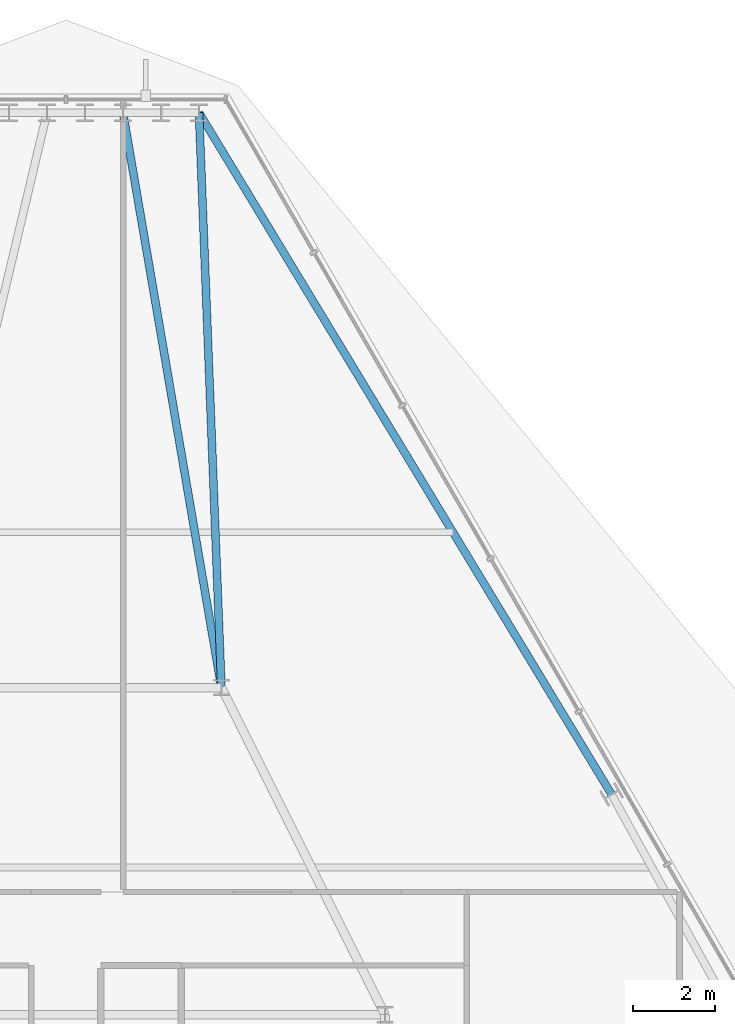
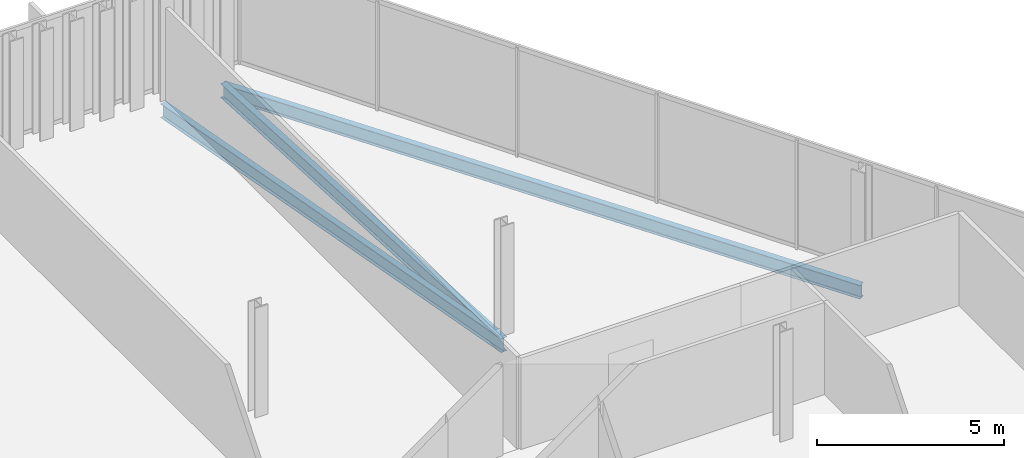
# One storey, part 26 of 37: 3 beams.
"""IFC4 building model written with IfcOpenShell, lengths in metres."""

from ifc_helpers import new_model, si_unit, direction, frame, origin, origin_2d, place, context, subcontext, project, spatial, i_section, extrude, material, material_profile, profile_set, type_object, element, save


model = new_model("IFC4")

# Units and contexts
model_context = context("Model", 3, precision=1e-05, world=origin(), true_north=direction((0.0, 1.0)))
body_context = subcontext(model_context, "Body", "Model", "MODEL_VIEW")
ifc_project = project(units=[si_unit("LENGTHUNIT", "METRE"), si_unit("AREAUNIT", "SQUARE_METRE"), si_unit("VOLUMEUNIT", "CUBIC_METRE"), si_unit("PLANEANGLEUNIT", "RADIAN"), si_unit("MASSUNIT", "GRAM", prefix="KILO")], contexts=[model_context])

# Site, building, storey
site_placement = place(None, origin())
site = spatial("IfcSite", under=ifc_project, at=site_placement, CompositionType="ELEMENT")
building_placement = place(site_placement, origin())
building = spatial("IfcBuilding", under=site, at=building_placement, Name="Ndaravel Arena Tower", CompositionType="ELEMENT")
storey_placement = place(building_placement, frame((0.0, 0.0, 218.0)))
storey = spatial("IfcBuildingStorey", under=building, at=storey_placement, Name="L52", CompositionType="ELEMENT", Elevation=218.0)

# Beams
ifc_material_1 = material(Name="Steel S355", Category="steel")
ifc_material_profile_1 = material_profile(ifc_material_1, i_section(OverallWidth=0.19140625, OverallDepth=0.4599609375, WebThickness=0.010009765625, FlangeThickness=0.01611328125, FilletRadius=0.01025390625, at=origin_2d()), Name="UB 457x191x82")
ifc_profile_set_1 = profile_set([ifc_material_profile_1], Name="Steel S355")
beam_type_1 = type_object("IfcBeamType", Name="BM-GIRD-UB457", PredefinedType="BEAM", material=ifc_profile_set_1)
beam_1_placement = place(storey_placement, frame((45.25244140625, 45.2578125, -0.449951171875), z_axis=(0.038924300896, -0.999242162241, 0.0), x_axis=(0.999242162241, 0.038924300896, 0.0)))
element("IfcBeam", 1, at=beam_1_placement, inside=storey, type_object=beam_type_1, Name="L52 Radial Floor Girder FG-11", PredefinedType="BEAM", context=body_context, shape_type="SweptSolid", body=[
    extrude(i_section(OverallWidth=0.19140625, OverallDepth=0.4599609375, WebThickness=0.010009765625, FlangeThickness=0.01611328125, FilletRadius=0.01025390625, at=origin_2d()), origin(), (0.0, 0.0, 1.0), 14.068603515625),
])
beam_2_placement = place(storey_placement, frame((43.393798828125, 45.2578125, -0.449951171875), z_axis=(0.16871389667, -0.98566506536, 0.0), x_axis=(0.98566506536, 0.16871389667, 0.0)))
element("IfcBeam", 2, at=beam_2_placement, inside=storey, type_object=beam_type_1, Name="L52 Radial Floor Girder FG-13", PredefinedType="BEAM", context=body_context, shape_type="SweptSolid", body=[
    extrude(i_section(OverallWidth=0.19140625, OverallDepth=0.4599609375, WebThickness=0.010009765625, FlangeThickness=0.01611328125, FilletRadius=0.01025390625, at=origin_2d()), origin(), (0.0, 0.0, 1.0), 14.26220703125),
])
ifc_material_2 = material(Name="Steel S355", Category="steel")
ifc_material_profile_2 = material_profile(ifc_material_2, i_section(OverallWidth=0.18994140625, OverallDepth=0.449951171875, WebThickness=0.009521484375, FlangeThickness=0.0146484375, FilletRadius=0.02099609375, at=origin_2d()), Name="IPE 450")
ifc_profile_set_2 = profile_set([ifc_material_profile_2], Name="Steel S355")
beam_type_2 = type_object("IfcBeamType", Name="BM-SPAN-IPE450", PredefinedType="SPANDREL", material=ifc_profile_set_2)
beam_3_placement = place(storey_placement, frame((55.34130859375, 28.587890625, -0.445068359375), z_axis=(-0.517771790163, 0.855518774377, 0.0), x_axis=(-0.855518774377, -0.517771790163, 0.0)))
element("IfcBeam", 3, at=beam_3_placement, inside=storey, type_object=beam_type_2, Name="L52 Perimeter Spandrel Beam SP-10", PredefinedType="SPANDREL", context=body_context, shape_type="SweptSolid", body=[
    extrude(i_section(OverallWidth=0.18994140625, OverallDepth=0.449951171875, WebThickness=0.009521484375, FlangeThickness=0.0146484375, FilletRadius=0.02099609375, at=origin_2d()), origin(), (0.0, 0.0, 1.0), 19.485107421875),
])

save(model, "model.ifc")
